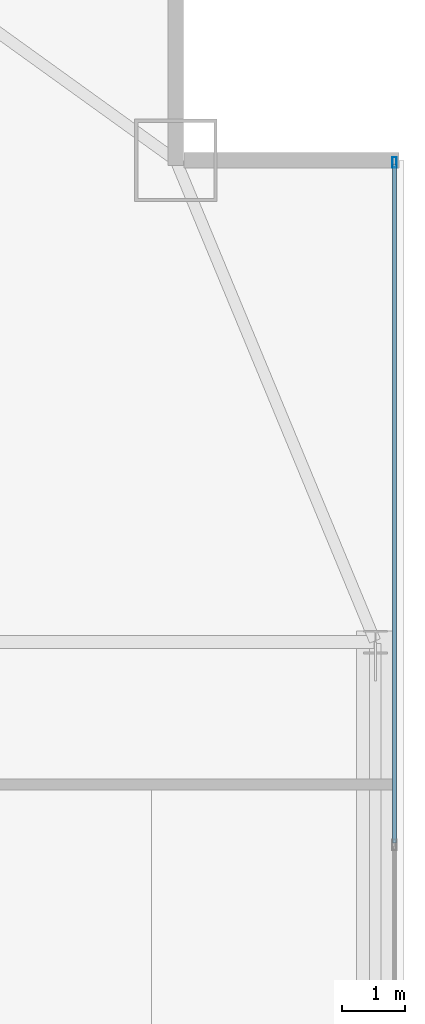
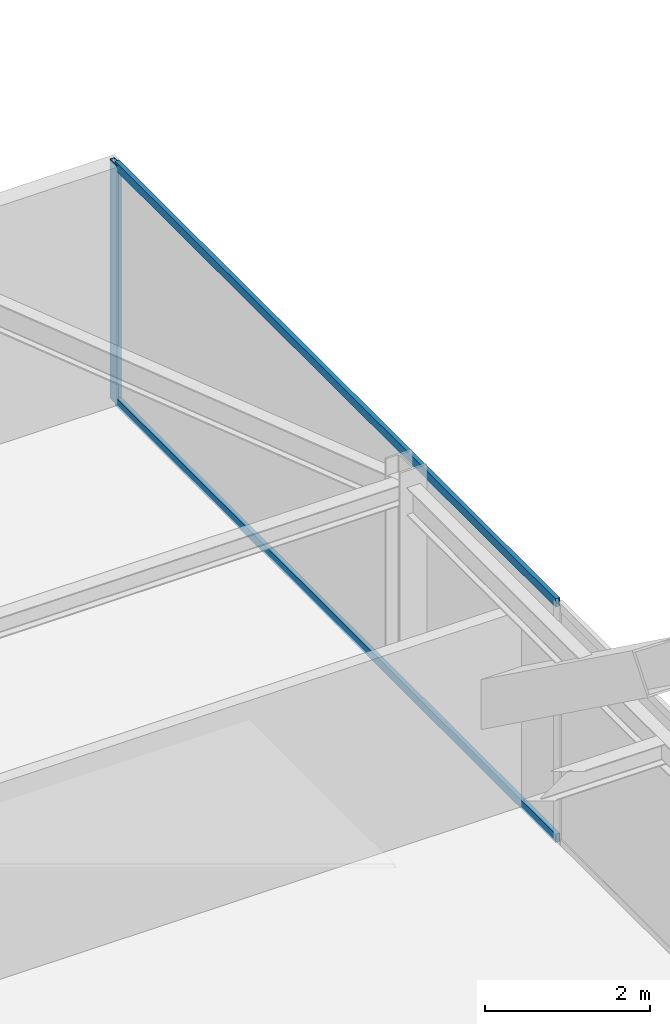
# One storey, part 25 of 34: 3 members, 1 element without a shape of its own.
"""IFC4 building model written with IfcOpenShell, lengths in metres."""

from ifc_helpers import new_model, si_unit, direction, frame, origin, origin_2d, place, context, subcontext, project, spatial, hollow_rectangle, extrude, source, transform, mapped, material, layer, layer_set, material_profile, profile_set, type_object, type_shapes, element, aggregate, save


model = new_model("IFC4")

# Units and contexts
model_context = context("Model", 3, precision=1e-05, world=origin(), true_north=direction((0.0, 1.0)))
body_context = subcontext(model_context, "Body", "Model", "MODEL_VIEW")
ifc_project = project(units=[si_unit("LENGTHUNIT", "METRE"), si_unit("AREAUNIT", "SQUARE_METRE"), si_unit("VOLUMEUNIT", "CUBIC_METRE"), si_unit("PLANEANGLEUNIT", "RADIAN"), si_unit("MASSUNIT", "GRAM", prefix="KILO")], contexts=[model_context])

# Site, building, storey
site_placement = place(None, origin())
site = spatial("IfcSite", under=ifc_project, at=site_placement, CompositionType="ELEMENT")
building_placement = place(site_placement, origin())
building = spatial("IfcBuilding", under=site, at=building_placement, Name="Varnel Quay Broadcast Tower", CompositionType="ELEMENT")
storey_placement = place(building_placement, frame((0.0, 0.0, 161.0)))
storey = spatial("IfcBuildingStorey", under=building, at=storey_placement, Name="L39", CompositionType="ELEMENT", Elevation=161.0)

# Curtain wall, members
ifc_material = material(Name="Anodised Bronze Aluminium 6063-T6", Category="aluminium")
ifc_layer = layer(ifc_material, 0.18994140625, Name="Anodised Bronze Aluminium 6063-T6")
ifc_layer_set = layer_set([ifc_layer], Name="Anodised Bronze Aluminium 6063-T6")
curtain_wall_type = type_object("IfcCurtainWallType", Name="CW_UpperTower", PredefinedType="NOTDEFINED", material=ifc_layer_set)
curtain_wall_placement = place(storey_placement, origin())
curtain_wall = element("IfcCurtainWall", 1, at=curtain_wall_placement, inside=storey, type_object=curtain_wall_type, Name="L39 East Unitised Curtain Wall", PredefinedType="NOTDEFINED")
ifc_material_profile_1 = material_profile(ifc_material, hollow_rectangle(XDim=0.06494140625, YDim=0.1650390625, WallThickness=0.00341796875, at=origin_2d()), Name="ALU65X165X3.5")
ifc_profile_set_1 = profile_set([ifc_material_profile_1], Name="Anodised Bronze Aluminium 6063-T6")
member_type_1 = type_object("IfcMemberType", Name="Mull_CWS-03", PredefinedType="MULLION", material=ifc_profile_set_1)
shared_shape_1 = source(origin(), body_context, "Body", "SweptSolid", [
    extrude(hollow_rectangle(XDim=0.06494140625, YDim=0.1650390625, WallThickness=0.00341796875, at=origin_2d()), origin(), (0.0, 0.0, 1.0), 3.550048828125),
])
type_shapes(member_type_1, [shared_shape_1])
member_1_placement = place(storey_placement, frame((60.85009765625, 43.16748046875, 0.0), z_axis=(0.0, 0.0, 1.0), x_axis=(-1.0, 0.0, 0.0)))
member_1 = element("IfcMember", 2, at=member_1_placement, type_object=member_type_1, Name="CWS-03 mullion 4", PredefinedType="MULLION", context=body_context, shape_type="MappedRepresentation", body=[
    mapped(shared_shape_1, transform((0.0, 0.0, 0.0), x_axis=(1.0, 0.0, 0.0), y_axis=(0.0, 1.0, 0.0), z_axis=(0.0, 0.0, 1.0), scale=1.0)),
])
ifc_material_profile_2 = material_profile(ifc_material, hollow_rectangle(XDim=0.06005859375, YDim=0.125, WallThickness=0.0029296875, at=origin_2d()), Name="ALU60X125X3")
ifc_profile_set_2 = profile_set([ifc_material_profile_2], Name="Anodised Bronze Aluminium 6063-T6")
member_type_2 = type_object("IfcMemberType", Name="Tran_CWS-03", PredefinedType="USERDEFINED", material=ifc_profile_set_2)
shared_shape_2 = source(origin(), body_context, "Body", "SweptSolid", [
    extrude(hollow_rectangle(XDim=0.06005859375, YDim=0.125, WallThickness=0.0029296875, at=origin_2d()), origin(), (0.0, 0.0, 1.0), 10.702392578125),
])
type_shapes(member_type_2, [shared_shape_2])
member_2_placement = place(storey_placement, frame((60.85009765625, 32.4326171875, 0.030029296875), z_axis=(0.0, 1.0, 0.0), x_axis=(-1.0, 0.0, 0.0)))
member_2 = element("IfcMember", 3, at=member_2_placement, type_object=member_type_2, Name="CWS-03 transom 3.1", ObjectType="TRANSOM", PredefinedType="USERDEFINED", context=body_context, shape_type="MappedRepresentation", body=[
    mapped(shared_shape_2, transform((0.0, 0.0, 0.0), x_axis=(1.0, 0.0, 0.0), y_axis=(0.0, 1.0, 0.0), z_axis=(0.0, 0.0, 1.0), scale=1.0)),
])
member_3_placement = place(storey_placement, frame((60.85009765625, 32.4326171875, 3.52001953125), z_axis=(0.0, 1.0, 0.0), x_axis=(-1.0, 0.0, 0.0)))
member_3 = element("IfcMember", 4, at=member_3_placement, type_object=member_type_2, Name="CWS-03 transom 3.2", ObjectType="TRANSOM", PredefinedType="USERDEFINED", context=body_context, shape_type="MappedRepresentation", body=[
    mapped(shared_shape_2, transform((0.0, 0.0, 0.0), x_axis=(1.0, 0.0, 0.0), y_axis=(0.0, 1.0, 0.0), z_axis=(0.0, 0.0, 1.0), scale=1.0)),
])
aggregate(curtain_wall, [member_1, member_2, member_3])

save(model, "model.ifc")
